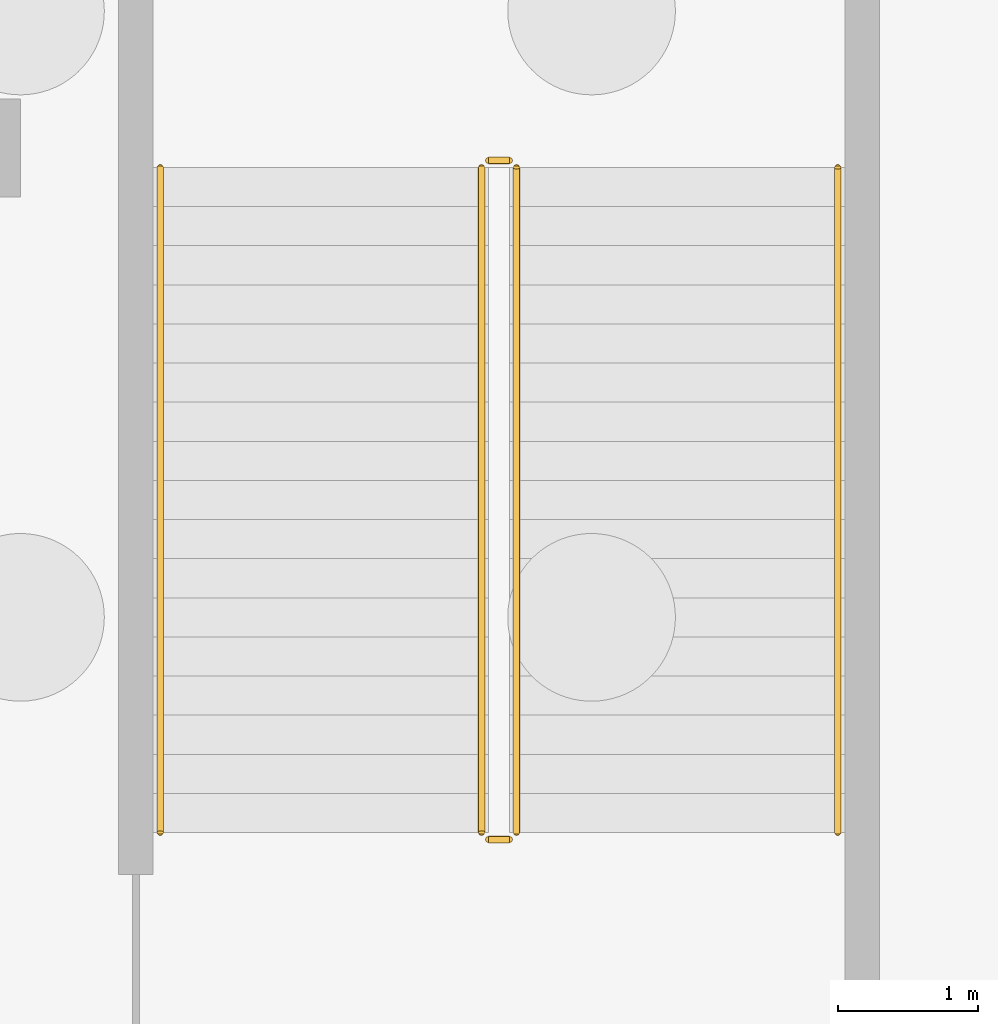
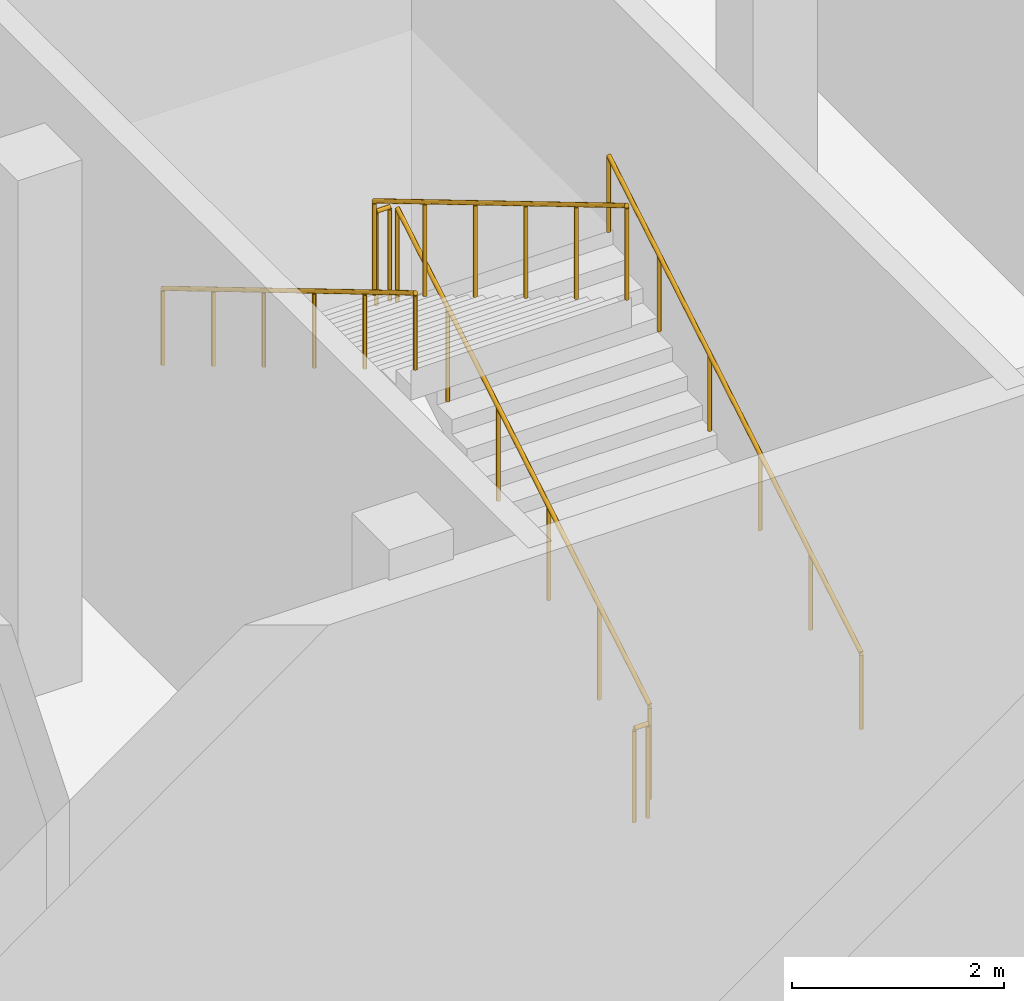
# One storey, part 40 of 45: 6 railings.
"""IFC4 building model written with IfcOpenShell, lengths in metres."""

from ifc_helpers import new_model, si_unit, direction, frame, origin, origin_2d, place, context, subcontext, project, spatial, circle, extrude, material, type_object, element, save


model = new_model("IFC4")

# Units and contexts
model_context = context("Model", 3, precision=1e-05, world=origin(), true_north=direction((0.0, 1.0)))
body_context = subcontext(model_context, "Body", "Model", "MODEL_VIEW")
ifc_project = project(units=[si_unit("LENGTHUNIT", "METRE"), si_unit("AREAUNIT", "SQUARE_METRE"), si_unit("VOLUMEUNIT", "CUBIC_METRE"), si_unit("PLANEANGLEUNIT", "RADIAN"), si_unit("MASSUNIT", "GRAM", prefix="KILO")], contexts=[model_context])

# Site, building, storey
site_placement = place(None, origin())
site = spatial("IfcSite", under=ifc_project, at=site_placement, CompositionType="ELEMENT")
building_placement = place(site_placement, origin())
building = spatial("IfcBuilding", under=site, at=building_placement, Name="Tamorin Gate", CompositionType="ELEMENT")
storey_placement = place(building_placement, frame((0.0, 0.0, -6.0)))
storey = spatial("IfcBuildingStorey", under=building, at=storey_placement, Name="B1", CompositionType="ELEMENT", Elevation=-6.0)

# Railings
ifc_material = material(Name="Steel, galvanised", Category="steel")
railing_type_1 = type_object("IfcRailingType", Name="Steel guard 1100 museum", PredefinedType="GUARDRAIL", material=ifc_material)
railing_1_placement = place(storey_placement, frame((197.60009765625, 57.800048828125, 0.166748046875)))
element("IfcRailing", 1, at=railing_1_placement, inside=storey, type_object=railing_type_1, Name="B1 PS7 stair guard 1", PredefinedType="GUARDRAIL", context=body_context, shape_type="SweptSolid", body=[
    extrude(circle(Radius=0.02392578125, at=origin_2d()), frame((0.0, 0.0, 1.076171875), z_axis=(0.0, 0.859299802514, 0.511472237174), x_axis=(-1.0, 0.0, 0.0)), (0.0, 0.0, 1.0), 5.539306640625),
    extrude(circle(Radius=0.02099609375, at=origin_2d()), origin(), (0.0, 0.0, 1.0), 1.052001953125),
    extrude(circle(Radius=0.02099609375, at=origin_2d()), frame((0.0, 0.951904296875, 0.566650390625)), (0.0, 0.0, 1.0), 1.052001953125),
    extrude(circle(Radius=0.02099609375, at=origin_2d()), frame((0.0, 1.904052734375, 1.13330078125)), (0.0, 0.0, 1.0), 1.052001953125),
    extrude(circle(Radius=0.02099609375, at=origin_2d()), frame((0.0, 2.85595703125, 1.699951171875)), (0.0, 0.0, 1.0), 1.052001953125),
    extrude(circle(Radius=0.02099609375, at=origin_2d()), frame((0.0, 3.80810546875, 2.2666015625)), (0.0, 0.0, 1.0), 1.052001953125),
    extrude(circle(Radius=0.02099609375, at=origin_2d()), frame((0.0, 4.760009765625, 2.833251953125)), (0.0, 0.0, 1.0), 1.052001953125),
])
railing_2_placement = place(storey_placement, frame((197.550048828125, 62.610107421875, 3.0)))
element("IfcRailing", 2, at=railing_2_placement, inside=storey, type_object=railing_type_1, Name="B1 PS7 stair guard 2", PredefinedType="GUARDRAIL", context=body_context, shape_type="SweptSolid", body=[
    extrude(circle(Radius=0.02392578125, at=origin_2d()), frame((0.0, 0.0, 1.076171875), z_axis=(-1.0, 0.0, 0.0), x_axis=(0.0, -1.0, 0.0)), (0.0, 0.0, 1.0), 0.150146484375),
    extrude(circle(Radius=0.02099609375, at=origin_2d()), origin(), (0.0, 0.0, 1.0), 1.052001953125),
    extrude(circle(Radius=0.02099609375, at=origin_2d()), frame((-0.150146484375, 0.0, 0.0)), (0.0, 0.0, 1.0), 1.052001953125),
])
railing_3_placement = place(storey_placement, frame((197.35009765625, 62.56005859375, 3.166748046875)))
element("IfcRailing", 3, at=railing_3_placement, inside=storey, type_object=railing_type_1, Name="B1 PS7 stair guard 3", PredefinedType="GUARDRAIL", context=body_context, shape_type="SweptSolid", body=[
    extrude(circle(Radius=0.02392578125, at=origin_2d()), frame((0.0, 0.0, 1.076171875), z_axis=(0.0, -0.859299802514, 0.511472237174), x_axis=(1.0, 0.0, 0.0)), (0.0, 0.0, 1.0), 5.539306640625),
    extrude(circle(Radius=0.02099609375, at=origin_2d()), origin(), (0.0, 0.0, 1.0), 1.052001953125),
    extrude(circle(Radius=0.02099609375, at=origin_2d()), frame((0.0, -0.951904296875, 0.566650390625)), (0.0, 0.0, 1.0), 1.052001953125),
    extrude(circle(Radius=0.02099609375, at=origin_2d()), frame((0.0, -1.904052734375, 1.13330078125)), (0.0, 0.0, 1.0), 1.052001953125),
    extrude(circle(Radius=0.02099609375, at=origin_2d()), frame((0.0, -2.85595703125, 1.699951171875)), (0.0, 0.0, 1.0), 1.052001953125),
    extrude(circle(Radius=0.02099609375, at=origin_2d()), frame((0.0, -3.80810546875, 2.2666015625)), (0.0, 0.0, 1.0), 1.052001953125),
    extrude(circle(Radius=0.02099609375, at=origin_2d()), frame((0.0, -4.760009765625, 2.833251953125)), (0.0, 0.0, 1.0), 1.052001953125),
])
railing_4_placement = place(storey_placement, frame((197.550048828125, 57.75, 0.0)))
element("IfcRailing", 4, at=railing_4_placement, inside=storey, type_object=railing_type_1, Name="B1 PS7 stair guard 4", PredefinedType="GUARDRAIL", context=body_context, shape_type="SweptSolid", body=[
    extrude(circle(Radius=0.02392578125, at=origin_2d()), frame((0.0, 0.0, 1.076171875), z_axis=(-1.0, 0.0, 0.0), x_axis=(0.0, -1.0, 0.0)), (0.0, 0.0, 1.0), 0.150146484375),
    extrude(circle(Radius=0.02099609375, at=origin_2d()), origin(), (0.0, 0.0, 1.0), 1.052001953125),
    extrude(circle(Radius=0.02099609375, at=origin_2d()), frame((-0.150146484375, 0.0, 0.0)), (0.0, 0.0, 1.0), 1.052001953125),
])
railing_type_2 = type_object("IfcRailingType", Name="Steel handrail 900 museum", PredefinedType="HANDRAIL", material=ifc_material)
railing_5_placement = place(storey_placement, frame((199.89990234375, 57.800048828125, 0.166748046875)))
element("IfcRailing", 5, at=railing_5_placement, inside=storey, type_object=railing_type_2, Name="B1 PS7 stair handrail 1", PredefinedType="HANDRAIL", context=body_context, shape_type="SweptSolid", body=[
    extrude(circle(Radius=0.02392578125, at=origin_2d()), frame((0.0, 0.0, 0.8759765625), z_axis=(0.0, 0.859299802514, 0.511472237174), x_axis=(-1.0, 0.0, 0.0)), (0.0, 0.0, 1.0), 5.539306640625),
    extrude(circle(Radius=0.02099609375, at=origin_2d()), origin(), (0.0, 0.0, 1.0), 0.851806640625),
    extrude(circle(Radius=0.02099609375, at=origin_2d()), frame((0.0, 0.951904296875, 0.566650390625)), (0.0, 0.0, 1.0), 0.851806640625),
    extrude(circle(Radius=0.02099609375, at=origin_2d()), frame((0.0, 1.904052734375, 1.13330078125)), (0.0, 0.0, 1.0), 0.851806640625),
    extrude(circle(Radius=0.02099609375, at=origin_2d()), frame((0.0, 2.85595703125, 1.699951171875)), (0.0, 0.0, 1.0), 0.851806640625),
    extrude(circle(Radius=0.02099609375, at=origin_2d()), frame((0.0, 3.80810546875, 2.2666015625)), (0.0, 0.0, 1.0), 0.851806640625),
    extrude(circle(Radius=0.02099609375, at=origin_2d()), frame((0.0, 4.760009765625, 2.833251953125)), (0.0, 0.0, 1.0), 0.851806640625),
])
railing_6_placement = place(storey_placement, frame((195.050048828125, 62.56005859375, 3.166748046875)))
element("IfcRailing", 6, at=railing_6_placement, inside=storey, type_object=railing_type_2, Name="B1 PS7 stair handrail 2", PredefinedType="HANDRAIL", context=body_context, shape_type="SweptSolid", body=[
    extrude(circle(Radius=0.02392578125, at=origin_2d()), frame((0.0, 0.0, 0.8759765625), z_axis=(0.0, -0.859299802514, 0.511472237174), x_axis=(1.0, 0.0, 0.0)), (0.0, 0.0, 1.0), 5.539306640625),
    extrude(circle(Radius=0.02099609375, at=origin_2d()), origin(), (0.0, 0.0, 1.0), 0.851806640625),
    extrude(circle(Radius=0.02099609375, at=origin_2d()), frame((0.0, -0.951904296875, 0.566650390625)), (0.0, 0.0, 1.0), 0.851806640625),
    extrude(circle(Radius=0.02099609375, at=origin_2d()), frame((0.0, -1.904052734375, 1.13330078125)), (0.0, 0.0, 1.0), 0.851806640625),
    extrude(circle(Radius=0.02099609375, at=origin_2d()), frame((0.0, -2.85595703125, 1.699951171875)), (0.0, 0.0, 1.0), 0.851806640625),
    extrude(circle(Radius=0.02099609375, at=origin_2d()), frame((0.0, -3.80810546875, 2.2666015625)), (0.0, 0.0, 1.0), 0.851806640625),
    extrude(circle(Radius=0.02099609375, at=origin_2d()), frame((0.0, -4.760009765625, 2.833251953125)), (0.0, 0.0, 1.0), 0.851806640625),
])

save(model, "model.ifc")
